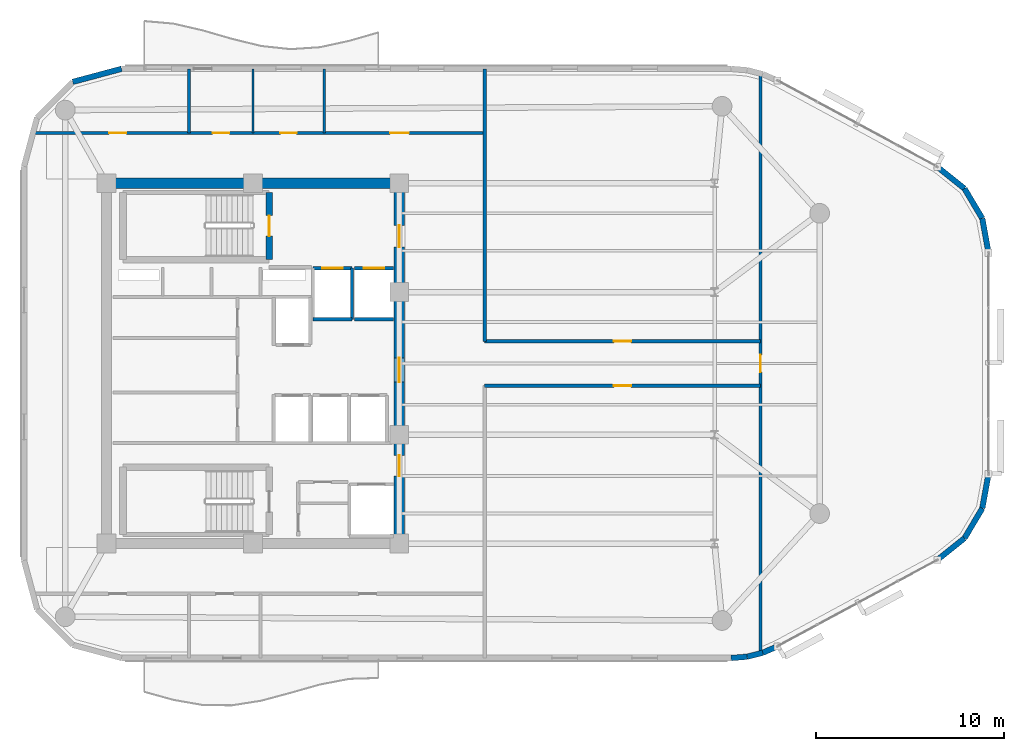
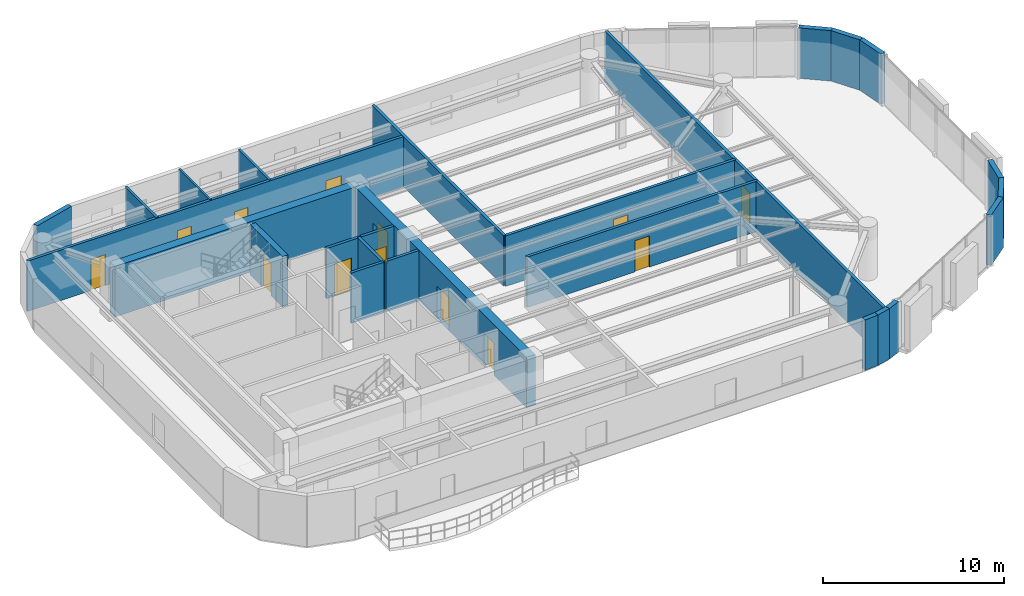
# One storey, part 10 of 13: 26 walls, 13 doors, 13 openings.
"""IFC4 building model written with IfcOpenShell, lengths in metres."""

from ifc_helpers import new_model, si_unit, direction, frame, frame_2d, origin, place, context, subcontext, project, spatial, rectangle, extrude, material, layer, layer_set, type_object, element, fill, save


model = new_model("IFC4")

# Units and contexts
model_context = context("Model", 3, precision=1e-05, world=origin(), true_north=direction((0.0, 1.0)))
body_context = subcontext(model_context, "Body", "Model", "MODEL_VIEW")
ifc_project = project(units=[si_unit("LENGTHUNIT", "METRE"), si_unit("AREAUNIT", "SQUARE_METRE"), si_unit("VOLUMEUNIT", "CUBIC_METRE"), si_unit("PLANEANGLEUNIT", "RADIAN"), si_unit("MASSUNIT", "GRAM", prefix="KILO")], contexts=[model_context])

# Site, building, storey
site_placement = place(None, origin())
site = spatial("IfcSite", under=ifc_project, at=site_placement, CompositionType="ELEMENT")
building_placement = place(site_placement, origin())
building = spatial("IfcBuilding", under=site, at=building_placement, Name="An Khanh Terracotta Commons", CompositionType="ELEMENT")
storey_placement = place(building_placement, frame((0.0, 0.0, 237.300048828125)))
storey = spatial("IfcBuildingStorey", under=building, at=storey_placement, Name="L62", CompositionType="ELEMENT", Elevation=237.300048828125)

# Wall
ifc_material_1 = material(Name="Concrete C50/60", Category="concrete")
ifc_layer_1 = layer(ifc_material_1, 0.550048828125, Name="Concrete C50/60")
ifc_layer_set_1 = layer_set([ifc_layer_1], Name="Concrete C50/60")
wall_type_1 = type_object("IfcWallType", Name="WALL-CORE-550", PredefinedType="SHEAR", material=ifc_layer_set_1)
wall_1_placement = place(storey_placement, frame((21.60009765625, 33.60009765625, 0.0), z_axis=(0.0, 0.0, 1.0), x_axis=(1.0, 0.0, 0.0)))
element("IfcWall", 1, at=wall_1_placement, inside=storey, type_object=wall_type_1, Name="L62 Core Wall CWALL-L62-N", PredefinedType="SHEAR", context=body_context, shape_type="SweptSolid", body=[
    extrude(rectangle(XDim=15.599853515625, YDim=0.550048828125, at=frame_2d((7.7998046875, 0.0))), origin(), (0.0, 0.0, 1.0), 3.39990234375),
])

# Wall, openings, doors
wall_2_placement = place(storey_placement, frame((37.199951171875, 14.39990234375, 0.0), z_axis=(0.0, 0.0, 1.0), x_axis=(0.0, 1.0, 0.0)))
wall_2 = element("IfcWall", 2, at=wall_2_placement, inside=storey, type_object=wall_type_1, Name="L62 Core Wall CWALL-L62-E", PredefinedType="SHEAR", context=body_context, shape_type="SweptSolid", body=[
    extrude(rectangle(XDim=19.2001953125, YDim=0.550048828125, at=frame_2d((9.60009765625, 0.0))), origin(), (0.0, 0.0, 1.0), 3.39990234375),
])
opening_1_placement = place(wall_2_placement, frame((15.800048828125, 0.0, 0.0)))
opening_1 = element("IfcOpeningElement", 3, at=opening_1_placement, cuts=wall_2, Name="Opening D-FFL", PredefinedType="OPENING", context=body_context, shape_type="SweptSolid", body=[
    extrude(rectangle(XDim=1.14990234375, YDim=2.14990234375, at=frame_2d((0.574951171875, 1.074951171875))), frame((0.0, 0.284912109375, 0.0), z_axis=(0.0, -1.0, 0.0), x_axis=(1.0, 0.0, 0.0)), (0.0, 0.0, 1.0), 0.570068359375),
])
opening_2_placement = place(wall_2_placement, frame((3.60009765625, 0.0, 0.0)))
opening_2 = element("IfcOpeningElement", 4, at=opening_2_placement, cuts=wall_2, Name="Opening D-ST", PredefinedType="OPENING", context=body_context, shape_type="SweptSolid", body=[
    extrude(rectangle(XDim=1.10009765625, YDim=2.14990234375, at=frame_2d((0.550048828125, 1.074951171875))), frame((0.0, 0.284912109375, 0.0), z_axis=(0.0, -1.0, 0.0), x_axis=(1.0, 0.0, 0.0)), (0.0, 0.0, 1.0), 0.570068359375),
])
opening_3_placement = place(wall_2_placement, frame((8.60009765625, 0.0, 0.0)))
opening_3 = element("IfcOpeningElement", 5, at=opening_3_placement, cuts=wall_2, Name="Opening D-COR", PredefinedType="OPENING", context=body_context, shape_type="SweptSolid", body=[
    extrude(rectangle(XDim=1.300048828125, YDim=2.199951171875, at=frame_2d((0.64990234375, 1.10009765625))), frame((0.0, 0.284912109375, 0.0), z_axis=(0.0, -1.0, 0.0), x_axis=(1.0, 0.0, 0.0)), (0.0, 0.0, 1.0), 0.570068359375),
])
ifc_material_2 = material(Name="Fire-Rated Glazed Steel Double Door", Category="steel")
door_type_1 = type_object("IfcDoorType", Name="DOOR-CORR-1300", OperationType="NOTDEFINED", PredefinedType="DOOR", material=ifc_material_2)
door_1_placement = place(opening_3_placement, origin())
door_1 = element("IfcDoor", 6, at=door_1_placement, inside=storey, type_object=door_type_1, Name="L62 Passenger Lift Lobby Double Door", OperationType="DOUBLE_DOOR_SINGLE_SWING", OverallHeight=2.199951171875, OverallWidth=1.300048828125, PredefinedType="DOOR", context=body_context, shape_type="SweptSolid", body=[
    extrude(rectangle(XDim=1.300048828125, YDim=2.199951171875, at=frame_2d((0.64990234375, 1.10009765625))), frame((0.0, 0.02490234375, 0.0), z_axis=(0.0, -1.0, 0.0), x_axis=(1.0, 0.0, 0.0)), (0.0, 0.0, 1.0), 0.050048828125),
])
fill(opening_3, door_1)
ifc_material_3 = material(Name="Fire-Rated Steel Leaf and Vision Panel", Category="steel")
door_type_2 = type_object("IfcDoorType", Name="DOOR-FFL-1150", OperationType="NOTDEFINED", PredefinedType="DOOR", material=ifc_material_3)
door_2_placement = place(opening_1_placement, origin())
door_2 = element("IfcDoor", 7, at=door_2_placement, inside=storey, type_object=door_type_2, Name="L62 Firefighting Lift Lobby Fire Door", OperationType="SINGLE_SWING_RIGHT", OverallHeight=2.14990234375, OverallWidth=1.14990234375, PredefinedType="DOOR", context=body_context, shape_type="SweptSolid", body=[
    extrude(rectangle(XDim=1.14990234375, YDim=2.14990234375, at=frame_2d((0.574951171875, 1.074951171875))), frame((0.0, 0.02490234375, 0.0), z_axis=(0.0, -1.0, 0.0), x_axis=(1.0, 0.0, 0.0)), (0.0, 0.0, 1.0), 0.050048828125),
])
fill(opening_1, door_2)
ifc_material_4 = material(Name="Fire-Rated Steel Leaf and Frame", Category="steel")
door_type_3 = type_object("IfcDoorType", Name="DOOR-STAIR-1100", OperationType="NOTDEFINED", PredefinedType="DOOR", material=ifc_material_4)
door_3_placement = place(opening_2_placement, origin())
door_3 = element("IfcDoor", 8, at=door_3_placement, inside=storey, type_object=door_type_3, Name="L62 South Stair Lobby Fire Door", OperationType="SINGLE_SWING_LEFT", OverallHeight=2.14990234375, OverallWidth=1.10009765625, PredefinedType="DOOR", context=body_context, shape_type="SweptSolid", body=[
    extrude(rectangle(XDim=1.10009765625, YDim=2.14990234375, at=frame_2d((0.550048828125, 1.074951171875))), frame((0.0, 0.02490234375, 0.0), z_axis=(0.0, -1.0, 0.0), x_axis=(1.0, 0.0, 0.0)), (0.0, 0.0, 1.0), 0.050048828125),
])
fill(opening_2, door_3)

# Wall, opening, door
ifc_material_5 = material(Name="Fire-Rated Gypsum Board on Steel Stud", Category="steel")
ifc_layer_2 = layer(ifc_material_5, 0.179931640625, Name="Fire-Rated Gypsum Board on Steel Stud")
ifc_layer_set_2 = layer_set([ifc_layer_2], Name="Fire-Rated Gypsum Board on Steel Stud")
wall_type_2 = type_object("IfcWallType", Name="WALL-CORR-180", PredefinedType="PARTITIONING", material=ifc_layer_set_2)
wall_3_placement = place(storey_placement, frame((32.60009765625, 29.080078125, 0.0), z_axis=(0.0, 0.0, 1.0), x_axis=(1.0, 0.0, 0.0)))
wall_3 = element("IfcWall", 9, at=wall_3_placement, inside=storey, type_object=wall_type_2, Name="L62 Core Wall LSH-L62-FFL-01-N", PredefinedType="PARTITIONING", context=body_context, shape_type="SweptSolid", body=[
    extrude(rectangle(XDim=2.079833984375, YDim=0.179931640625, at=frame_2d((1.0400390625, 0.0))), origin(), (0.0, 0.0, 1.0), 3.39990234375),
])
opening_4_placement = place(wall_3_placement, frame((0.489990234375, 0.0, 0.0)))
opening_4 = element("IfcOpeningElement", 10, at=opening_4_placement, cuts=wall_3, Name="Opening LD-FFL-01-L62", PredefinedType="OPENING", context=body_context, shape_type="SweptSolid", body=[
    extrude(rectangle(XDim=1.10009765625, YDim=2.199951171875, at=frame_2d((0.550048828125, 1.10009765625))), frame((0.0, 0.099853515625, 0.0), z_axis=(0.0, -1.0, 0.0), x_axis=(1.0, 0.0, 0.0)), (0.0, 0.0, 1.0), 0.199951171875),
])
ifc_material_6 = material(Name="Brushed Stainless Steel Fire Landing Door", Category="steel")
door_type_4 = type_object("IfcDoorType", Name="DOOR-LD-FFL-1100", OperationType="NOTDEFINED", PredefinedType="DOOR", material=ifc_material_6)
door_4_placement = place(opening_4_placement, origin())
door_4 = element("IfcDoor", 11, at=door_4_placement, inside=storey, type_object=door_type_4, Name="L62 Lift FFL-01 Sliding Landing Door", OperationType="DOUBLE_DOOR_SLIDING", OverallHeight=2.199951171875, OverallWidth=1.10009765625, PredefinedType="DOOR", context=body_context, shape_type="SweptSolid", body=[
    extrude(rectangle(XDim=1.10009765625, YDim=2.199951171875, at=frame_2d((0.550048828125, 1.10009765625))), frame((0.0, 0.02490234375, 0.0), z_axis=(0.0, -1.0, 0.0), x_axis=(1.0, 0.0, 0.0)), (0.0, 0.0, 1.0), 0.050048828125),
])
fill(opening_4, door_4)

# Walls
wall_4_placement = place(storey_placement, frame((34.679931640625, 26.35009765625, 0.0), z_axis=(0.0, 0.0, 1.0), x_axis=(-1.0, 0.0, 0.0)))
element("IfcWall", 12, at=wall_4_placement, inside=storey, type_object=wall_type_2, Name="L62 Core Wall LSH-L62-FFL-01-S", PredefinedType="PARTITIONING", context=body_context, shape_type="SweptSolid", body=[
    extrude(rectangle(XDim=2.079833984375, YDim=0.179931640625, at=frame_2d((1.0400390625, 0.0))), origin(), (0.0, 0.0, 1.0), 3.39990234375),
])
wall_5_placement = place(storey_placement, frame((34.679931640625, 26.35009765625, 0.0), z_axis=(0.0, 0.0, 1.0), x_axis=(0.0, 1.0, 0.0)))
element("IfcWall", 13, at=wall_5_placement, inside=storey, type_object=wall_type_2, Name="L62 Core Wall LSH-L62-FFL-01-E", PredefinedType="PARTITIONING", context=body_context, shape_type="SweptSolid", body=[
    extrude(rectangle(XDim=2.72998046875, YDim=0.179931640625, at=frame_2d((1.364990234375, 0.0))), origin(), (0.0, 0.0, 1.0), 3.39990234375),
])

# Wall, opening, door
wall_6_placement = place(storey_placement, frame((34.820068359375, 29.080078125, 0.0), z_axis=(0.0, 0.0, 1.0), x_axis=(1.0, 0.0, 0.0)))
wall_6 = element("IfcWall", 14, at=wall_6_placement, inside=storey, type_object=wall_type_2, Name="L62 Core Wall LSH-L62-FFL-02-N", PredefinedType="PARTITIONING", context=body_context, shape_type="SweptSolid", body=[
    extrude(rectangle(XDim=2.079833984375, YDim=0.179931640625, at=frame_2d((1.0400390625, 0.0))), origin(), (0.0, 0.0, 1.0), 3.39990234375),
])
opening_5_placement = place(wall_6_placement, frame((0.489990234375, 0.0, 0.0)))
opening_5 = element("IfcOpeningElement", 15, at=opening_5_placement, cuts=wall_6, Name="Opening LD-FFL-02-L62", PredefinedType="OPENING", context=body_context, shape_type="SweptSolid", body=[
    extrude(rectangle(XDim=1.10009765625, YDim=2.199951171875, at=frame_2d((0.550048828125, 1.10009765625))), frame((0.0, 0.099853515625, 0.0), z_axis=(0.0, -1.0, 0.0), x_axis=(1.0, 0.0, 0.0)), (0.0, 0.0, 1.0), 0.199951171875),
])
door_5_placement = place(opening_5_placement, origin())
door_5 = element("IfcDoor", 16, at=door_5_placement, inside=storey, type_object=door_type_4, Name="L62 Lift FFL-02 Sliding Landing Door", OperationType="DOUBLE_DOOR_SLIDING", OverallHeight=2.199951171875, OverallWidth=1.10009765625, PredefinedType="DOOR", context=body_context, shape_type="SweptSolid", body=[
    extrude(rectangle(XDim=1.10009765625, YDim=2.199951171875, at=frame_2d((0.550048828125, 1.10009765625))), frame((0.0, 0.02490234375, 0.0), z_axis=(0.0, -1.0, 0.0), x_axis=(1.0, 0.0, 0.0)), (0.0, 0.0, 1.0), 0.050048828125),
])
fill(opening_5, door_5)

# Wall
wall_7_placement = place(storey_placement, frame((36.89990234375, 26.35009765625, 0.0), z_axis=(0.0, 0.0, 1.0), x_axis=(-1.0, 0.0, 0.0)))
element("IfcWall", 17, at=wall_7_placement, inside=storey, type_object=wall_type_2, Name="L62 Core Wall LSH-L62-FFL-02-S", PredefinedType="PARTITIONING", context=body_context, shape_type="SweptSolid", body=[
    extrude(rectangle(XDim=2.079833984375, YDim=0.179931640625, at=frame_2d((1.0400390625, 0.0))), origin(), (0.0, 0.0, 1.0), 3.39990234375),
])

# Wall, opening, door
wall_8_placement = place(storey_placement, frame((41.75, 22.820068359375, 0.0), z_axis=(0.0, 0.0, 1.0), x_axis=(1.0, 0.0, 0.0)))
wall_8 = element("IfcWall", 18, at=wall_8_placement, inside=storey, type_object=wall_type_2, Name="L62 Interior Partition IW-L62-E002", PredefinedType="PARTITIONING", context=body_context, shape_type="SweptSolid", body=[
    extrude(rectangle(XDim=14.699951171875, YDim=0.179931640625, at=frame_2d((7.35009765625, 0.0))), origin(), (0.0, 0.0, 1.0), 3.39990234375),
])
opening_6_placement = place(wall_8_placement, frame((6.889892578125, 0.0, 0.0)))
opening_6 = element("IfcOpeningElement", 19, at=opening_6_placement, cuts=wall_8, Name="Opening D-RM", PredefinedType="OPENING", context=body_context, shape_type="SweptSolid", body=[
    extrude(rectangle(XDim=0.919921875, YDim=2.10009765625, at=frame_2d((0.4599609375, 1.050048828125))), frame((0.0, 0.099853515625, 0.0), z_axis=(0.0, -1.0, 0.0), x_axis=(1.0, 0.0, 0.0)), (0.0, 0.0, 1.0), 0.199951171875),
])
ifc_material_7 = material(Name="Engineered Hardwood Timber Leaf", Category="wood")
door_type_5 = type_object("IfcDoorType", Name="DOOR-INT-920", OperationType="NOTDEFINED", PredefinedType="DOOR", material=ifc_material_7)
door_6_placement = place(opening_6_placement, origin())
door_6 = element("IfcDoor", 20, at=door_6_placement, inside=storey, type_object=door_type_5, Name="L62 SPN2 Research Study Office Door", OperationType="SINGLE_SWING_LEFT", OverallHeight=2.10009765625, OverallWidth=0.919921875, PredefinedType="DOOR", context=body_context, shape_type="SweptSolid", body=[
    extrude(rectangle(XDim=0.919921875, YDim=2.10009765625, at=frame_2d((0.4599609375, 1.050048828125))), frame((0.0, 0.02490234375, 0.0), z_axis=(0.0, -1.0, 0.0), x_axis=(1.0, 0.0, 0.0)), (0.0, 0.0, 1.0), 0.050048828125),
])
fill(opening_6, door_6)

wall_9_placement = place(storey_placement, frame((41.75, 25.179931640625, 0.0), z_axis=(0.0, 0.0, 1.0), x_axis=(1.0, 0.0, 0.0)))
wall_9 = element("IfcWall", 21, at=wall_9_placement, inside=storey, type_object=wall_type_2, Name="L62 Interior Partition IW-L62-E003", PredefinedType="PARTITIONING", context=body_context, shape_type="SweptSolid", body=[
    extrude(rectangle(XDim=14.699951171875, YDim=0.179931640625, at=frame_2d((7.35009765625, 0.0))), origin(), (0.0, 0.0, 1.0), 3.39990234375),
])
opening_7_placement = place(wall_9_placement, frame((6.889892578125, 0.0, 0.0)))
opening_7 = element("IfcOpeningElement", 22, at=opening_7_placement, cuts=wall_9, Name="Opening D-RM", PredefinedType="OPENING", context=body_context, shape_type="SweptSolid", body=[
    extrude(rectangle(XDim=0.919921875, YDim=2.10009765625, at=frame_2d((0.4599609375, 1.050048828125))), frame((0.0, 0.099853515625, 0.0), z_axis=(0.0, -1.0, 0.0), x_axis=(1.0, 0.0, 0.0)), (0.0, 0.0, 1.0), 0.199951171875),
])
door_7_placement = place(opening_7_placement, origin())
door_7 = element("IfcDoor", 23, at=door_7_placement, inside=storey, type_object=door_type_5, Name="L62 SPN1 Collaborative Study Lounge Door", OperationType="SINGLE_SWING_RIGHT", OverallHeight=2.10009765625, OverallWidth=0.919921875, PredefinedType="DOOR", context=body_context, shape_type="SweptSolid", body=[
    extrude(rectangle(XDim=0.919921875, YDim=2.10009765625, at=frame_2d((0.4599609375, 1.050048828125))), frame((0.0, 0.02490234375, 0.0), z_axis=(0.0, -1.0, 0.0), x_axis=(1.0, 0.0, 0.0)), (0.0, 0.0, 1.0), 0.050048828125),
])
fill(opening_7, door_7)

# Wall, openings, doors
wall_10_placement = place(storey_placement, frame((17.677001953125, 36.280029296875, 0.0), z_axis=(0.0, 0.0, 1.0), x_axis=(1.0, 0.0, 0.0)))
wall_10 = element("IfcWall", 24, at=wall_10_placement, inside=storey, type_object=wall_type_2, Name="L62 Interior Partition IW-L62-E004", PredefinedType="PARTITIONING", context=body_context, shape_type="SweptSolid", body=[
    extrude(rectangle(XDim=24.072998046875, YDim=0.179931640625, at=frame_2d((12.03662109375, 0.0))), origin(), (0.0, 0.0, 1.0), 3.39990234375),
])
opening_8_placement = place(wall_10_placement, frame((9.572998046875, 0.0, 0.0)))
opening_8 = element("IfcOpeningElement", 25, at=opening_8_placement, cuts=wall_10, Name="Opening D-WC", PredefinedType="OPENING", context=body_context, shape_type="SweptSolid", body=[
    extrude(rectangle(XDim=0.89990234375, YDim=2.10009765625, at=frame_2d((0.449951171875, 1.050048828125))), frame((0.0, 0.099853515625, 0.0), z_axis=(0.0, -1.0, 0.0), x_axis=(1.0, 0.0, 0.0)), (0.0, 0.0, 1.0), 0.199951171875),
])
opening_9_placement = place(wall_10_placement, frame((13.193115234375, 0.0, 0.0)))
opening_9 = element("IfcOpeningElement", 26, at=opening_9_placement, cuts=wall_10, Name="Opening D-ENS", PredefinedType="OPENING", context=body_context, shape_type="SweptSolid", body=[
    extrude(rectangle(XDim=0.860107421875, YDim=2.10009765625, at=frame_2d((0.43017578125, 1.050048828125))), frame((0.0, 0.099853515625, 0.0), z_axis=(0.0, -1.0, 0.0), x_axis=(1.0, 0.0, 0.0)), (0.0, 0.0, 1.0), 0.199951171875),
])
opening_10_placement = place(wall_10_placement, frame((4.06298828125, 0.0, 0.0)))
opening_10 = element("IfcOpeningElement", 27, at=opening_10_placement, cuts=wall_10, Name="Opening D-RM", PredefinedType="OPENING", context=body_context, shape_type="SweptSolid", body=[
    extrude(rectangle(XDim=0.919921875, YDim=2.10009765625, at=frame_2d((0.4599609375, 1.050048828125))), frame((0.0, 0.099853515625, 0.0), z_axis=(0.0, -1.0, 0.0), x_axis=(1.0, 0.0, 0.0)), (0.0, 0.0, 1.0), 0.199951171875),
])
opening_11_placement = place(wall_10_placement, frame((19.0380859375, 0.0, 0.0)))
opening_11 = element("IfcOpeningElement", 28, at=opening_11_placement, cuts=wall_10, Name="Opening D-UN", PredefinedType="OPENING", context=body_context, shape_type="SweptSolid", body=[
    extrude(rectangle(XDim=1.0, YDim=2.14990234375, at=frame_2d((0.5, 1.074951171875))), frame((0.0, 0.099853515625, 0.0), z_axis=(0.0, -1.0, 0.0), x_axis=(1.0, 0.0, 0.0)), (0.0, 0.0, 1.0), 0.199951171875),
])
ifc_material_8 = material(Name="Moisture-Resistant Hardwood Timber Leaf", Category="wood")
door_type_6 = type_object("IfcDoorType", Name="DOOR-BATH-860", OperationType="NOTDEFINED", PredefinedType="DOOR", material=ifc_material_8)
door_8_placement = place(opening_9_placement, origin())
door_8 = element("IfcDoor", 29, at=door_8_placement, inside=storey, type_object=door_type_6, Name="L62 SHW Resident Shared Shower and Washroom Door", OperationType="SINGLE_SWING_RIGHT", OverallHeight=2.10009765625, OverallWidth=0.860107421875, PredefinedType="DOOR", context=body_context, shape_type="SweptSolid", body=[
    extrude(rectangle(XDim=0.860107421875, YDim=2.10009765625, at=frame_2d((0.43017578125, 1.050048828125))), frame((0.0, 0.02490234375, 0.0), z_axis=(0.0, -1.0, 0.0), x_axis=(1.0, 0.0, 0.0)), (0.0, 0.0, 1.0), 0.050048828125),
])
fill(opening_9, door_8)
door_9_placement = place(opening_10_placement, origin())
door_9 = element("IfcDoor", 30, at=door_9_placement, inside=storey, type_object=door_type_5, Name="L62 NW1 Student Reading Library Door", OperationType="SINGLE_SWING_LEFT", OverallHeight=2.10009765625, OverallWidth=0.919921875, PredefinedType="DOOR", context=body_context, shape_type="SweptSolid", body=[
    extrude(rectangle(XDim=0.919921875, YDim=2.10009765625, at=frame_2d((0.4599609375, 1.050048828125))), frame((0.0, 0.02490234375, 0.0), z_axis=(0.0, -1.0, 0.0), x_axis=(1.0, 0.0, 0.0)), (0.0, 0.0, 1.0), 0.050048828125),
])
fill(opening_10, door_9)
ifc_material_9 = material(Name="Solid-Core Hardwood Acoustic Fire Door", Category="wood")
door_type_7 = type_object("IfcDoorType", Name="DOOR-UNIT-1000", OperationType="NOTDEFINED", PredefinedType="DOOR", material=ifc_material_9)
door_10_placement = place(opening_11_placement, origin())
door_10 = element("IfcDoor", 31, at=door_10_placement, inside=storey, type_object=door_type_7, Name="L62 NWE Yoga Wellness Studio Door", OperationType="SINGLE_SWING_RIGHT", OverallHeight=2.14990234375, OverallWidth=1.0, PredefinedType="DOOR", context=body_context, shape_type="SweptSolid", body=[
    extrude(rectangle(XDim=1.0, YDim=2.14990234375, at=frame_2d((0.5, 1.074951171875))), frame((0.0, 0.02490234375, 0.0), z_axis=(0.0, -1.0, 0.0), x_axis=(1.0, 0.0, 0.0)), (0.0, 0.0, 1.0), 0.050048828125),
])
fill(opening_11, door_10)
ifc_material_10 = material(Name="Laminate Moisture-Resistant Timber Leaf", Category="wood")
door_type_8 = type_object("IfcDoorType", Name="DOOR-WC-900", OperationType="NOTDEFINED", PredefinedType="DOOR", material=ifc_material_10)
door_11_placement = place(opening_8_placement, origin())
door_11 = element("IfcDoor", 32, at=door_11_placement, inside=storey, type_object=door_type_8, Name="L62 AWC Accessible WC Door", OperationType="SINGLE_SWING_LEFT", OverallHeight=2.10009765625, OverallWidth=0.89990234375, PredefinedType="DOOR", context=body_context, shape_type="SweptSolid", body=[
    extrude(rectangle(XDim=0.89990234375, YDim=2.10009765625, at=frame_2d((0.449951171875, 1.050048828125))), frame((0.0, 0.02490234375, 0.0), z_axis=(0.0, -1.0, 0.0), x_axis=(1.0, 0.0, 0.0)), (0.0, 0.0, 1.0), 0.050048828125),
])
fill(opening_8, door_11)

# Wall
wall_11_placement = place(storey_placement, frame((41.75, 25.179931640625, 0.0), z_axis=(0.0, 0.0, 1.0), x_axis=(0.0, 1.0, 0.0)))
element("IfcWall", 33, at=wall_11_placement, inside=storey, type_object=wall_type_2, Name="L62 Interior Partition IW-L62-E011", PredefinedType="PARTITIONING", context=body_context, shape_type="SweptSolid", body=[
    extrude(rectangle(XDim=14.52001953125, YDim=0.179931640625, at=frame_2d((7.260009765625, 0.0))), origin(), (0.0, 0.0, 1.0), 3.39990234375),
])

# Wall, opening, door
wall_12_placement = place(storey_placement, frame((56.449951171875, 8.550048828125, 0.0), z_axis=(0.0, 0.0, 1.0), x_axis=(0.0, 1.0, 0.0)))
wall_12 = element("IfcWall", 34, at=wall_12_placement, inside=storey, type_object=wall_type_2, Name="L62 Interior Partition IW-L62-E012", PredefinedType="PARTITIONING", context=body_context, shape_type="SweptSolid", body=[
    extrude(rectangle(XDim=30.89990234375, YDim=0.179931640625, at=frame_2d((15.449951171875, 0.0))), origin(), (0.0, 0.0, 1.0), 3.39990234375),
])
opening_12_placement = place(wall_12_placement, frame((14.989990234375, 0.0, 0.0)))
opening_12 = element("IfcOpeningElement", 35, at=opening_12_placement, cuts=wall_12, Name="Opening D-RM", PredefinedType="OPENING", context=body_context, shape_type="SweptSolid", body=[
    extrude(rectangle(XDim=0.919921875, YDim=2.10009765625, at=frame_2d((0.4599609375, 1.050048828125))), frame((0.0, 0.099853515625, 0.0), z_axis=(0.0, -1.0, 0.0), x_axis=(1.0, 0.0, 0.0)), (0.0, 0.0, 1.0), 0.199951171875),
])
door_12_placement = place(opening_12_placement, origin())
door_12 = element("IfcDoor", 36, at=door_12_placement, inside=storey, type_object=door_type_5, Name="L62 GHALL Riverfront Reference Library Door", OperationType="SINGLE_SWING_RIGHT", OverallHeight=2.10009765625, OverallWidth=0.919921875, PredefinedType="DOOR", context=body_context, shape_type="SweptSolid", body=[
    extrude(rectangle(XDim=0.919921875, YDim=2.10009765625, at=frame_2d((0.4599609375, 1.050048828125))), frame((0.0, 0.02490234375, 0.0), z_axis=(0.0, -1.0, 0.0), x_axis=(1.0, 0.0, 0.0)), (0.0, 0.0, 1.0), 0.050048828125),
])
fill(opening_12, door_12)

# Walls
ifc_material_11 = material(Name="Precast concrete C40/50", Category="concrete")
ifc_layer_3 = layer(ifc_material_11, 0.300048828125, Name="Precast concrete C40/50")
ifc_layer_set_3 = layer_set([ifc_layer_3], Name="Precast concrete C40/50")
wall_type_3 = type_object("IfcWallType", Name="WALL-EXT-300", PredefinedType="SOLIDWALL", material=ifc_layer_set_3)
wall_13_placement = place(storey_placement, frame((54.885009765625, 8.300048828125, 0.0), z_axis=(0.0, 0.0, 1.0), x_axis=(0.996565355958, 0.082809971041, 0.0)))
element("IfcWall", 37, at=wall_13_placement, inside=storey, type_object=wall_type_3, Name="L62 Insulated Terracotta Exterior Wall 5", PredefinedType="SOLIDWALL", context=body_context, shape_type="SweptSolid", body=[
    extrude(rectangle(XDim=0.85791015625, YDim=0.300048828125, at=frame_2d((0.428955078125, 0.0))), origin(), (0.0, 0.0, 1.0), 3.39990234375),
])
wall_14_placement = place(storey_placement, frame((55.739990234375, 8.37109375, 0.0), z_axis=(0.0, 0.0, 1.0), x_axis=(0.969536346338, 0.244947490555, 0.0)))
element("IfcWall", 38, at=wall_14_placement, inside=storey, type_object=wall_type_3, Name="L62 Insulated Terracotta Exterior Wall 6", PredefinedType="SOLIDWALL", context=body_context, shape_type="SweptSolid", body=[
    extrude(rectangle(XDim=0.857177734375, YDim=0.300048828125, at=frame_2d((0.4287109375, 0.0))), origin(), (0.0, 0.0, 1.0), 3.39990234375),
])
wall_15_placement = place(storey_placement, frame((56.571044921875, 8.5810546875, 0.0), z_axis=(0.0, 0.0, 1.0), x_axis=(0.916085473636, 0.400983048261, 0.0)))
element("IfcWall", 39, at=wall_15_placement, inside=storey, type_object=wall_type_3, Name="L62 Insulated Terracotta Exterior Wall 7", PredefinedType="SOLIDWALL", context=body_context, shape_type="SweptSolid", body=[
    extrude(rectangle(XDim=0.85791015625, YDim=0.300048828125, at=frame_2d((0.428955078125, 0.0))), origin(), (0.0, 0.0, 1.0), 3.39990234375),
])
wall_16_placement = place(storey_placement, frame((65.8720703125, 13.52587890625, 0.0), z_axis=(0.0, 0.0, 1.0), x_axis=(0.780920189257, 0.624630817372, 0.0)))
element("IfcWall", 40, at=wall_16_placement, inside=storey, type_object=wall_type_3, Name="L62 Insulated Terracotta Exterior Wall 9", PredefinedType="SOLIDWALL", context=body_context, shape_type="SweptSolid", body=[
    extrude(rectangle(XDim=1.854248046875, YDim=0.300048828125, at=frame_2d((0.92724609375, 0.0))), origin(), (0.0, 0.0, 1.0), 3.39990234375),
])
wall_17_placement = place(storey_placement, frame((67.320068359375, 14.68408203125, 0.0), z_axis=(0.0, 0.0, 1.0), x_axis=(0.512072018927, 0.858942516955, 0.0)))
element("IfcWall", 41, at=wall_17_placement, inside=storey, type_object=wall_type_3, Name="L62 Insulated Terracotta Exterior Wall 10", PredefinedType="SOLIDWALL", context=body_context, shape_type="SweptSolid", body=[
    extrude(rectangle(XDim=1.853271484375, YDim=0.300048828125, at=frame_2d((0.9267578125, 0.0))), origin(), (0.0, 0.0, 1.0), 3.39990234375),
])
for number, where, z_axis, x_axis, name in (
    (42, (68.26904296875, 16.27587890625, 0.0), (0.0, 0.0, 1.0), (0.178468469252, 0.983945631365, 0.0), "L62 Insulated Terracotta Exterior Wall 11"),
    (43, (68.60009765625, 29.89892578125, 0.0), (0.0, 0.0, 1.0), (-0.178468469252, 0.983945631365, 0.0), "L62 Insulated Terracotta Exterior Wall 13"),
):
    element("IfcWall", number, at=place(storey_placement, frame(where, z_axis=z_axis, x_axis=x_axis)), inside=storey, type_object=wall_type_3, Name=name, PredefinedType="SOLIDWALL", context=body_context, shape_type="SweptSolid", body=[
        extrude(rectangle(XDim=1.85498046875, YDim=0.300048828125, at=frame_2d((0.927490234375, 0.0))), origin(), (0.0, 0.0, 1.0), 3.39990234375),
    ])
wall_18_placement = place(storey_placement, frame((68.26904296875, 31.72412109375, 0.0), z_axis=(0.0, 0.0, 1.0), x_axis=(-0.512072018927, 0.858942516955, 0.0)))
element("IfcWall", 44, at=wall_18_placement, inside=storey, type_object=wall_type_3, Name="L62 Insulated Terracotta Exterior Wall 14", PredefinedType="SOLIDWALL", context=body_context, shape_type="SweptSolid", body=[
    extrude(rectangle(XDim=1.853271484375, YDim=0.300048828125, at=frame_2d((0.9267578125, 0.0))), origin(), (0.0, 0.0, 1.0), 3.39990234375),
])
wall_19_placement = place(storey_placement, frame((67.320068359375, 33.31591796875, 0.0), z_axis=(0.0, 0.0, 1.0), x_axis=(-0.780920189257, 0.624630817372, 0.0)))
element("IfcWall", 45, at=wall_19_placement, inside=storey, type_object=wall_type_3, Name="L62 Insulated Terracotta Exterior Wall 15", PredefinedType="SOLIDWALL", context=body_context, shape_type="SweptSolid", body=[
    extrude(rectangle(XDim=1.854248046875, YDim=0.300048828125, at=frame_2d((0.92724609375, 0.0))), origin(), (0.0, 0.0, 1.0), 3.39990234375),
])
wall_20_placement = place(storey_placement, frame((22.39990234375, 39.699951171875, 0.0), z_axis=(0.0, 0.0, 1.0), x_axis=(-0.965889330541, -0.258955210695, 0.0)))
element("IfcWall", 46, at=wall_20_placement, inside=storey, type_object=wall_type_3, Name="L62 Insulated Terracotta Exterior Wall 21", PredefinedType="SOLIDWALL", context=body_context, shape_type="SweptSolid", body=[
    extrude(rectangle(XDim=2.691650390625, YDim=0.300048828125, at=frame_2d((1.345703125, 0.0))), origin(), (0.0, 0.0, 1.0), 3.39990234375),
])
ifc_material_12 = material(Name="Acoustic Gypsum Board Partition")
ifc_layer_4 = layer(ifc_material_12, 0.14990234375, Name="Acoustic Gypsum Board Partition")
ifc_layer_set_4 = layer_set([ifc_layer_4], Name="Acoustic Gypsum Board Partition")
wall_type_4 = type_object("IfcWallType", Name="WALL-PART-150", PredefinedType="PARTITIONING", material=ifc_layer_set_4)
for number, where, z_axis, x_axis, name in (
    (47, (26.0, 36.280029296875, 0.0), (0.0, 0.0, 1.0), (0.0, 1.0, 0.0), "L62 Interior Partition IW-L62-E006"),
    (48, (33.199951171875, 36.280029296875, 0.0), (0.0, 0.0, 1.0), (0.0, 1.0, 0.0), "L62 Interior Partition IW-L62-E009"),
):
    element("IfcWall", number, at=place(storey_placement, frame(where, z_axis=z_axis, x_axis=x_axis)), inside=storey, type_object=wall_type_4, Name=name, PredefinedType="PARTITIONING", context=body_context, shape_type="SweptSolid", body=[
        extrude(rectangle(XDim=3.419921875, YDim=0.14990234375, at=frame_2d((1.7099609375, 0.0))), origin(), (0.0, 0.0, 1.0), 3.39990234375),
    ])

# Wall, opening, door
ifc_layer_5 = layer(ifc_material_1, 0.35009765625, Name="Concrete C50/60")
ifc_layer_set_5 = layer_set([ifc_layer_5], Name="Concrete C50/60")
wall_type_5 = type_object("IfcWallType", Name="WALL-SHAFT-350", PredefinedType="SOLIDWALL", material=ifc_layer_set_5)
wall_21_placement = place(storey_placement, frame((30.27001953125, 29.530029296875, 0.0), z_axis=(0.0, 0.0, 1.0), x_axis=(0.0, 1.0, 0.0)))
wall_21 = element("IfcWall", 49, at=wall_21_placement, inside=storey, type_object=wall_type_5, Name="L62 Core Wall STW-L62-N-E", PredefinedType="SOLIDWALL", context=body_context, shape_type="SweptSolid", body=[
    extrude(rectangle(XDim=3.580078125, YDim=0.35009765625, at=frame_2d((1.7900390625, 0.0))), origin(), (0.0, 0.0, 1.0), 3.39990234375),
])
opening_13_placement = place(wall_21_placement, frame((1.25, 0.0, 0.0)))
opening_13 = element("IfcOpeningElement", 50, at=opening_13_placement, cuts=wall_21, Name="Opening D-ST", PredefinedType="OPENING", context=body_context, shape_type="SweptSolid", body=[
    extrude(rectangle(XDim=1.10009765625, YDim=2.14990234375, at=frame_2d((0.550048828125, 1.074951171875))), frame((0.0, 0.18505859375, 0.0), z_axis=(0.0, -1.0, 0.0), x_axis=(1.0, 0.0, 0.0)), (0.0, 0.0, 1.0), 0.3701171875),
])
door_13_placement = place(opening_13_placement, origin())
door_13 = element("IfcDoor", 51, at=door_13_placement, inside=storey, type_object=door_type_3, Name="L62 Stair ST-01 Fire Door", OperationType="SINGLE_SWING_RIGHT", OverallHeight=2.14990234375, OverallWidth=1.10009765625, PredefinedType="DOOR", context=body_context, shape_type="SweptSolid", body=[
    extrude(rectangle(XDim=1.10009765625, YDim=2.14990234375, at=frame_2d((0.550048828125, 1.074951171875))), frame((0.0, 0.02490234375, 0.0), z_axis=(0.0, -1.0, 0.0), x_axis=(1.0, 0.0, 0.0)), (0.0, 0.0, 1.0), 0.050048828125),
])
fill(opening_13, door_13)

# Wall
ifc_material_13 = material(Name="Moisture-Resistant Cement Board Partition")
ifc_layer_6 = layer(ifc_material_13, 0.1201171875, Name="Moisture-Resistant Cement Board Partition")
ifc_layer_set_6 = layer_set([ifc_layer_6], Name="Moisture-Resistant Cement Board Partition")
wall_type_6 = type_object("IfcWallType", Name="WALL-WET-120", PredefinedType="PARTITIONING", material=ifc_layer_set_6)
wall_22_placement = place(storey_placement, frame((29.39990234375, 36.280029296875, 0.0), z_axis=(0.0, 0.0, 1.0), x_axis=(0.0, 1.0, 0.0)))
element("IfcWall", 52, at=wall_22_placement, inside=storey, type_object=wall_type_6, Name="L62 Interior Partition IW-L62-E007", PredefinedType="PARTITIONING", context=body_context, shape_type="SweptSolid", body=[
    extrude(rectangle(XDim=3.419921875, YDim=0.1201171875, at=frame_2d((1.7099609375, 0.0))), origin(), (0.0, 0.0, 1.0), 3.39990234375),
])

save(model, "model.ifc")
